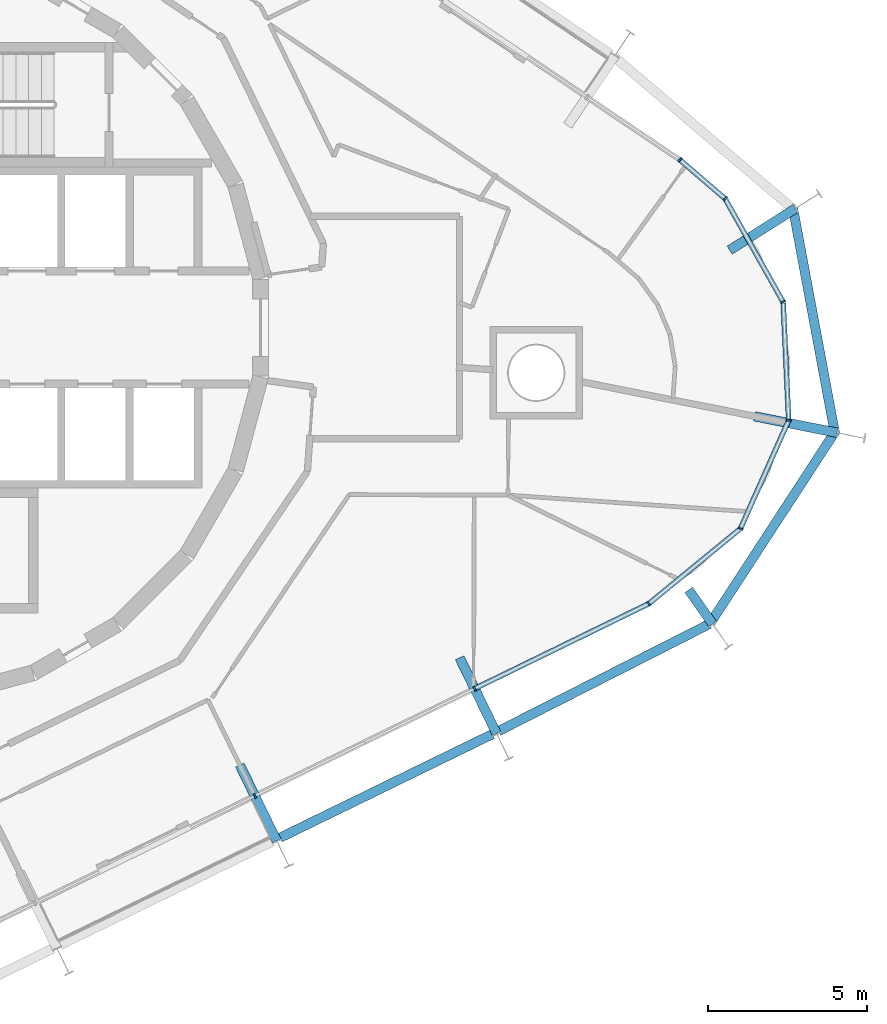
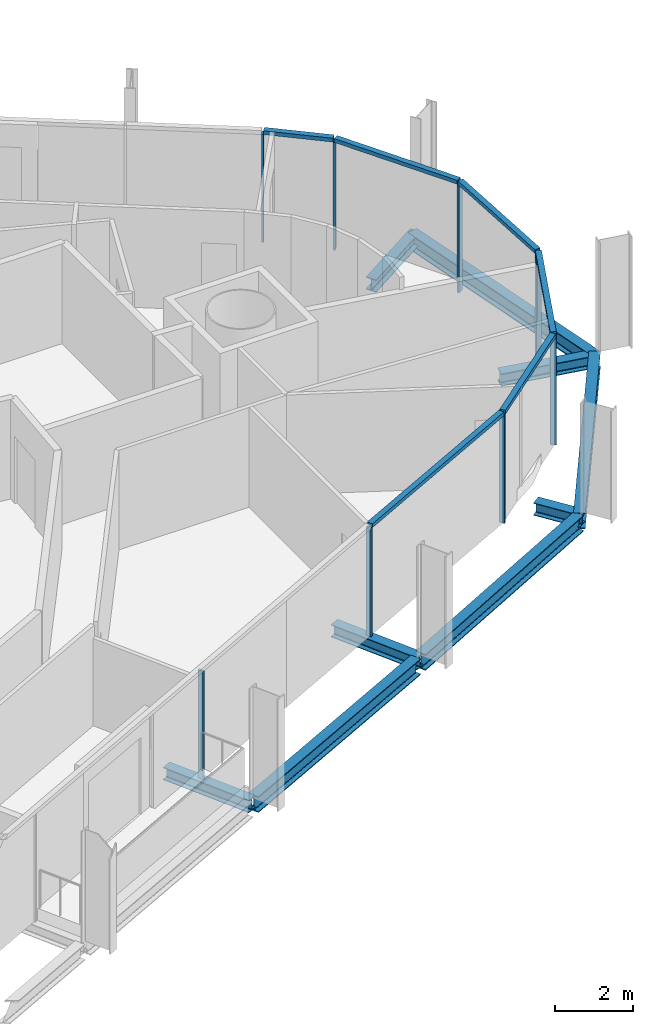
# One storey, part 5 of 17: 14 members, 9 beams, 2 elements without a shape of their own.
"""IFC4 building model written with IfcOpenShell, lengths in metres."""

from ifc_helpers import new_model, si_unit, direction, frame, origin, origin_2d, place, context, subcontext, project, spatial, rectangle, i_section, extrude, material, layer, layer_set, material_profile, profile_set, type_object, element, aggregate, save


model = new_model("IFC4")

# Units and contexts
model_context = context("Model", 3, precision=1e-05, world=origin(), true_north=direction((0.0, 1.0)))
body_context = subcontext(model_context, "Body", "Model", "MODEL_VIEW")
ifc_project = project(units=[si_unit("LENGTHUNIT", "METRE"), si_unit("AREAUNIT", "SQUARE_METRE"), si_unit("VOLUMEUNIT", "CUBIC_METRE"), si_unit("PLANEANGLEUNIT", "RADIAN"), si_unit("MASSUNIT", "GRAM", prefix="KILO")], contexts=[model_context])

# Site, building, storey
site_placement = place(None, origin())
site = spatial("IfcSite", under=ifc_project, at=site_placement, CompositionType="ELEMENT")
building_placement = place(site_placement, origin())
building = spatial("IfcBuilding", under=site, at=building_placement, Name="Spindle Arch Residences", CompositionType="ELEMENT")
storey_placement = place(building_placement, frame((0.0, 0.0, 191.89990234375)))
storey = spatial("IfcBuildingStorey", under=building, at=storey_placement, Name="L48", CompositionType="ELEMENT", Elevation=191.89990234375)

# Curtain wall, members
ifc_material_1 = material(Name="Aluminium bronze unitised frame with tinted glass", Category="aluminium")
ifc_layer_1 = layer(ifc_material_1, 0.159912109375)
ifc_layer_set_1 = layer_set([ifc_layer_1], Name="CW-D corner wall on the fillet arcs")
curtain_wall_type_1 = type_object("IfcCurtainWallType", Name="CW-D corner wall on the fillet arcs", PredefinedType="NOTDEFINED", material=ifc_layer_set_1)
curtain_wall_1_placement = place(storey_placement, origin())
curtain_wall_1 = element("IfcCurtainWall", 1, at=curtain_wall_1_placement, inside=storey, type_object=curtain_wall_type_1, Name="CW-D L48 run 1", PredefinedType="NOTDEFINED")
ifc_material_2 = material(Name="Aluminium bronze anodised mullion", Category="aluminium")
ifc_material_profile_1 = material_profile(ifc_material_2, rectangle(XDim=0.159912109375, YDim=0.06005859375, at=origin_2d()), Name="MU 60x160")
ifc_profile_set_1 = profile_set([ifc_material_profile_1], Name="Aluminium bronze anodised mullion")
member_type_1 = type_object("IfcMemberType", Name="Bronze mullion 60x160", PredefinedType="MULLION", material=ifc_profile_set_1)
member_1_placement = place(storey_placement, frame((18.377685546875, -11.353515625, -0.3798828125), z_axis=(0.0, 0.0, 1.0), x_axis=(-0.438371146789, 0.898794046299, 0.0)))
member_1 = element("IfcMember", 2, at=member_1_placement, type_object=member_type_1, Name="CW-D mullion 00", PredefinedType="MULLION", context=body_context, shape_type="SweptSolid", body=[
    extrude(rectangle(XDim=0.159912109375, YDim=0.06005859375, at=origin_2d()), origin(), (0.0, 0.0, 1.0), 3.3798828125),
])
member_2_placement = place(storey_placement, frame((23.85400390625, -8.6826171875, -0.3798828125), z_axis=(0.0, 0.0, 1.0), x_axis=(-0.633830963722, 0.773471595747, 0.0)))
member_2 = element("IfcMember", 3, at=member_2_placement, type_object=member_type_1, Name="CW-D mullion 01", PredefinedType="MULLION", context=body_context, shape_type="SweptSolid", body=[
    extrude(rectangle(XDim=0.159912109375, YDim=0.06005859375, at=origin_2d()), origin(), (0.0, 0.0, 1.0), 3.3798828125),
])
member_3_placement = place(storey_placement, frame((26.736572265625, -6.320556640625, -0.3798828125), z_axis=(0.0, 0.0, 1.0), x_axis=(-0.913545457934, 0.406736642422, 0.0)))
member_3 = element("IfcMember", 4, at=member_3_placement, type_object=member_type_1, Name="CW-D mullion 02", PredefinedType="MULLION", context=body_context, shape_type="SweptSolid", body=[
    extrude(rectangle(XDim=0.159912109375, YDim=0.06005859375, at=origin_2d()), origin(), (0.0, 0.0, 1.0), 3.3798828125),
])
member_4_placement = place(storey_placement, frame((28.252197265625, -2.916015625, -0.3798828125), z_axis=(0.0, 0.0, 1.0), x_axis=(-0.99891711126, -0.046525313877, 0.0)))
member_4 = element("IfcMember", 5, at=member_4_placement, type_object=member_type_1, Name="CW-D mullion 03", PredefinedType="MULLION", context=body_context, shape_type="SweptSolid", body=[
    extrude(rectangle(XDim=0.159912109375, YDim=0.06005859375, at=origin_2d()), origin(), (0.0, 0.0, 1.0), 3.3798828125),
])
member_5_placement = place(storey_placement, frame((28.078857421875, 0.806884765625, -0.3798828125), z_axis=(0.0, 0.0, 1.0), x_axis=(-0.871784414743, -0.489889716377, 0.0)))
member_5 = element("IfcMember", 6, at=member_5_placement, type_object=member_type_1, Name="CW-D mullion 04", PredefinedType="MULLION", context=body_context, shape_type="SweptSolid", body=[
    extrude(rectangle(XDim=0.159912109375, YDim=0.06005859375, at=origin_2d()), origin(), (0.0, 0.0, 1.0), 3.3798828125),
])
member_6_placement = place(storey_placement, frame((26.253173828125, 4.0556640625, -0.3798828125), z_axis=(0.0, 0.0, 1.0), x_axis=(-0.651657229382, -0.758513582867, 0.0)))
member_6 = element("IfcMember", 7, at=member_6_placement, type_object=member_type_1, Name="CW-D mullion 05", PredefinedType="MULLION", context=body_context, shape_type="SweptSolid", body=[
    extrude(rectangle(XDim=0.159912109375, YDim=0.06005859375, at=origin_2d()), origin(), (0.0, 0.0, 1.0), 3.3798828125),
])
member_7_placement = place(storey_placement, frame((24.830078125, 5.2783203125, -0.3798828125), z_axis=(0.0, 0.0, 1.0), x_axis=(-0.559192903471, -0.829037572555, 0.0)))
member_7 = element("IfcMember", 8, at=member_7_placement, type_object=member_type_1, Name="CW-D mullion 06", PredefinedType="MULLION", context=body_context, shape_type="SweptSolid", body=[
    extrude(rectangle(XDim=0.159912109375, YDim=0.06005859375, at=origin_2d()), origin(), (0.0, 0.0, 1.0), 3.3798828125),
])

# Curtain wall, member
ifc_material_3 = material(Name="Aluminium bronze unitised frame with tinted glass", Category="aluminium")
ifc_layer_2 = layer(ifc_material_3, 0.159912109375)
ifc_layer_set_2 = layer_set([ifc_layer_2], Name="CW-C typical residential unitised wall")
curtain_wall_type_2 = type_object("IfcCurtainWallType", Name="CW-C typical residential unitised wall", PredefinedType="NOTDEFINED", material=ifc_layer_set_2)
curtain_wall_2_placement = place(storey_placement, origin())
curtain_wall_2 = element("IfcCurtainWall", 9, at=curtain_wall_2_placement, inside=storey, type_object=curtain_wall_type_2, Name="CW-C L48 run 6", PredefinedType="NOTDEFINED")
member_8_placement = place(storey_placement, frame((11.46240234375, -14.726318359375, -0.3798828125), z_axis=(0.0, 0.0, 1.0), x_axis=(-0.438371146789, 0.898794046299, 0.0)))
member_8 = element("IfcMember", 10, at=member_8_placement, type_object=member_type_1, Name="CW-C mullion 00", PredefinedType="MULLION", context=body_context, shape_type="SweptSolid", body=[
    extrude(rectangle(XDim=0.159912109375, YDim=0.06005859375, at=origin_2d()), origin(), (0.0, 0.0, 1.0), 3.3798828125),
])
aggregate(curtain_wall_2, [member_8])

# Member
ifc_material_4 = material(Name="Aluminium bronze anodised transom", Category="aluminium")
ifc_material_profile_2 = material_profile(ifc_material_4, rectangle(XDim=0.159912109375, YDim=0.1201171875, at=origin_2d()), Name="TR 120x160")
ifc_profile_set_2 = profile_set([ifc_material_profile_2], Name="Aluminium bronze anodised transom")
member_type_2 = type_object("IfcMemberType", Name="Bronze transom 120x160", PredefinedType="USERDEFINED", material=ifc_profile_set_2)
member_9_placement = place(storey_placement, frame((18.404541015625, -11.340576171875, 3.06005859375), z_axis=(0.898786724344, 0.438386158704, 0.0), x_axis=(-0.438386158704, 0.898786724344, 0.0)))
member_9 = element("IfcMember", 11, at=member_9_placement, type_object=member_type_2, Name="CW-D transom 00", ObjectType="TRANSOM", PredefinedType="USERDEFINED", context=body_context, shape_type="SweptSolid", body=[
    extrude(rectangle(XDim=0.159912109375, YDim=0.1201171875, at=origin_2d()), origin(), (0.0, 0.0, 1.0), 6.032958984375),
])

member_10_placement = place(storey_placement, frame((23.877197265625, -8.66357421875, 3.06005859375), z_axis=(0.773494307947, 0.633803246737, 0.0), x_axis=(-0.633803246737, 0.773494307947, 0.0)))
member_10 = element("IfcMember", 12, at=member_10_placement, type_object=member_type_2, Name="CW-D transom 01", ObjectType="TRANSOM", PredefinedType="USERDEFINED", context=body_context, shape_type="SweptSolid", body=[
    extrude(rectangle(XDim=0.159912109375, YDim=0.1201171875, at=origin_2d()), origin(), (0.0, 0.0, 1.0), 3.666748046875),
])

member_11_placement = place(storey_placement, frame((26.748779296875, -6.29296875, 3.06005859375), z_axis=(0.406706770356, 0.913558757249, 0.0), x_axis=(-0.913558757249, 0.406706770356, 0.0)))
member_11 = element("IfcMember", 13, at=member_11_placement, type_object=member_type_2, Name="CW-D transom 02", ObjectType="TRANSOM", PredefinedType="USERDEFINED", context=body_context, shape_type="SweptSolid", body=[
    extrude(rectangle(XDim=0.159912109375, YDim=0.1201171875, at=origin_2d()), origin(), (0.0, 0.0, 1.0), 3.66650390625),
])

member_12_placement = place(storey_placement, frame((28.2509765625, -2.885986328125, 3.06005859375), z_axis=(-0.046540197037, 0.998916417955, 0.0), x_axis=(-0.998916417955, -0.046540197037, 0.0)))
member_12 = element("IfcMember", 14, at=member_12_placement, type_object=member_type_2, Name="CW-D transom 03", ObjectType="TRANSOM", PredefinedType="USERDEFINED", context=body_context, shape_type="SweptSolid", body=[
    extrude(rectangle(XDim=0.159912109375, YDim=0.1201171875, at=origin_2d()), origin(), (0.0, 0.0, 1.0), 3.666748046875),
])

member_13_placement = place(storey_placement, frame((28.064208984375, 0.8330078125, 3.06005859375), z_axis=(-0.489916630118, 0.871769290314, 0.0), x_axis=(-0.871769290314, -0.489916630118, 0.0)))
member_13 = element("IfcMember", 15, at=member_13_placement, type_object=member_type_2, Name="CW-D transom 04", ObjectType="TRANSOM", PredefinedType="USERDEFINED", context=body_context, shape_type="SweptSolid", body=[
    extrude(rectangle(XDim=0.159912109375, YDim=0.1201171875, at=origin_2d()), origin(), (0.0, 0.0, 1.0), 3.666748046875),
])

member_14_placement = place(storey_placement, frame((26.23046875, 4.0751953125, 3.06005859375), z_axis=(-0.758458936913, 0.651720830584, 0.0), x_axis=(-0.651720830584, -0.758458936913, 0.0)))
member_14 = element("IfcMember", 16, at=member_14_placement, type_object=member_type_2, Name="CW-D transom 05", ObjectType="TRANSOM", PredefinedType="USERDEFINED", context=body_context, shape_type="SweptSolid", body=[
    extrude(rectangle(XDim=0.159912109375, YDim=0.1201171875, at=origin_2d()), origin(), (0.0, 0.0, 1.0), 1.816162109375),
])

aggregate(curtain_wall_1, [member_1, member_9, member_2, member_10, member_3, member_11, member_4, member_12, member_5, member_13, member_6, member_14, member_7])

# Beams
ifc_material_5 = material(Name="Steel S460ML, intumescent coating R 120", Category="steel")
ifc_material_profile_3 = material_profile(ifc_material_5, i_section(OverallWidth=0.300048828125, OverallDepth=0.5, WebThickness=0.014404296875, FlangeThickness=0.028076171875, FilletRadius=0.027099609375, at=origin_2d()), Name="HEB 500")
ifc_profile_set_3 = profile_set([ifc_material_profile_3], Name="Steel S460ML, intumescent coating R 120")
beam_type_1 = type_object("IfcBeamType", Name="Exoskeleton edge beam HEB 500", PredefinedType="BEAM", material=ifc_profile_set_3)
beam_1_placement = place(storey_placement, frame((12.25, -16.04443359375, -0.6298828125), z_axis=(0.898804110297, 0.438350511935, 0.0), x_axis=(-0.438350511935, 0.898804110297, 0.0)))
element("IfcBeam", 17, at=beam_1_placement, inside=storey, type_object=beam_type_1, Name="Exoskeleton edge beam 1", PredefinedType="BEAM", context=body_context, shape_type="SweptSolid", body=[
    extrude(i_section(OverallWidth=0.300048828125, OverallDepth=0.5, WebThickness=0.014404296875, FlangeThickness=0.028076171875, FilletRadius=0.027099609375, at=origin_2d()), origin(), (0.0, 0.0, 1.0), 7.43359375),
])
beam_2_placement = place(storey_placement, frame((19.1298828125, -12.688232421875, -0.6298828125), z_axis=(0.891456240157, 0.453106799646, 0.0), x_axis=(-0.453106799646, 0.891456240157, 0.0)))
element("IfcBeam", 18, at=beam_2_placement, inside=storey, type_object=beam_type_1, Name="Exoskeleton edge beam 2", PredefinedType="BEAM", context=body_context, shape_type="SweptSolid", body=[
    extrude(i_section(OverallWidth=0.300048828125, OverallDepth=0.5, WebThickness=0.014404296875, FlangeThickness=0.028076171875, FilletRadius=0.027099609375, at=origin_2d()), origin(), (0.0, 0.0, 1.0), 7.427978515625),
])
beam_3_placement = place(storey_placement, frame((25.777099609375, -9.30908203125, -0.6298828125), z_axis=(0.546059217501, 0.837746579212, 0.0), x_axis=(-0.837746579212, 0.546059217501, 0.0)))
element("IfcBeam", 19, at=beam_3_placement, inside=storey, type_object=beam_type_1, Name="Exoskeleton edge beam 3", PredefinedType="BEAM", context=body_context, shape_type="SweptSolid", body=[
    extrude(i_section(OverallWidth=0.300048828125, OverallDepth=0.5, WebThickness=0.014404296875, FlangeThickness=0.028076171875, FilletRadius=0.027099609375, at=origin_2d()), origin(), (0.0, 0.0, 1.0), 7.249267578125),
])
beam_4_placement = place(storey_placement, frame((29.71142578125, -3.356689453125, -0.6298828125), z_axis=(-0.183047966733, 0.983103983246, 0.0), x_axis=(-0.983103983246, -0.183047966733, 0.0)))
element("IfcBeam", 20, at=beam_4_placement, inside=storey, type_object=beam_type_1, Name="Exoskeleton edge beam 4", PredefinedType="BEAM", context=body_context, shape_type="SweptSolid", body=[
    extrude(i_section(OverallWidth=0.300048828125, OverallDepth=0.5, WebThickness=0.014404296875, FlangeThickness=0.028076171875, FilletRadius=0.027099609375, at=origin_2d()), origin(), (0.0, 0.0, 1.0), 7.2490234375),
])
ifc_material_6 = material(Name="Steel S460ML, intumescent coating R 120", Category="steel")
ifc_material_profile_4 = material_profile(ifc_material_6, i_section(OverallWidth=0.300048828125, OverallDepth=0.389892578125, WebThickness=0.010986328125, FlangeThickness=0.01904296875, FilletRadius=0.027099609375, at=origin_2d()), Name="HEA 400")
ifc_profile_set_4 = profile_set([ifc_material_profile_4], Name="Steel S460ML, intumescent coating R 120")
beam_type_2 = type_object("IfcBeamType", Name="Floor outrigger HEA 400", PredefinedType="BEAM", material=ifc_profile_set_4)
beam_5_placement = place(storey_placement, frame((12.150634765625, -16.137451171875, -0.574951171875), z_axis=(-0.438347395329, 0.898805630272, 0.0), x_axis=(-0.898805630272, -0.438347395329, 0.0)))
element("IfcBeam", 21, at=beam_5_placement, inside=storey, type_object=beam_type_2, Name="Floor outrigger 1", PredefinedType="BEAM", context=body_context, shape_type="SweptSolid", body=[
    extrude(i_section(OverallWidth=0.300048828125, OverallDepth=0.389892578125, WebThickness=0.010986328125, FlangeThickness=0.01904296875, FilletRadius=0.027099609375, at=origin_2d()), origin(), (0.0, 0.0, 1.0), 2.64990234375),
])
beam_6_placement = place(storey_placement, frame((19.06591796875, -12.7646484375, -0.574951171875), z_axis=(-0.438421816972, 0.898769331032, 0.0), x_axis=(-0.898769331032, -0.438421816972, 0.0)))
element("IfcBeam", 22, at=beam_6_placement, inside=storey, type_object=beam_type_2, Name="Floor outrigger 2", PredefinedType="BEAM", context=body_context, shape_type="SweptSolid", body=[
    extrude(i_section(OverallWidth=0.300048828125, OverallDepth=0.389892578125, WebThickness=0.010986328125, FlangeThickness=0.01904296875, FilletRadius=0.027099609375, at=origin_2d()), origin(), (0.0, 0.0, 1.0), 2.650146484375),
])
beam_7_placement = place(storey_placement, frame((25.858154296875, -9.3173828125, -0.574951171875), z_axis=(-0.574827287121, 0.818274764356, 0.0), x_axis=(-0.818274764356, -0.574827287121, 0.0)))
element("IfcBeam", 23, at=beam_7_placement, inside=storey, type_object=beam_type_2, Name="Floor outrigger 3", PredefinedType="BEAM", context=body_context, shape_type="SweptSolid", body=[
    extrude(i_section(OverallWidth=0.300048828125, OverallDepth=0.389892578125, WebThickness=0.010986328125, FlangeThickness=0.01904296875, FilletRadius=0.027099609375, at=origin_2d()), origin(), (0.0, 0.0, 1.0), 1.3076171875),
])
beam_8_placement = place(storey_placement, frame((29.775634765625, -3.306884765625, -0.574951171875), z_axis=(-0.980704498332, 0.195496002392, 0.0), x_axis=(-0.195496002392, -0.980704498332, 0.0)))
element("IfcBeam", 24, at=beam_8_placement, inside=storey, type_object=beam_type_2, Name="Floor outrigger 4", PredefinedType="BEAM", context=body_context, shape_type="SweptSolid", body=[
    extrude(i_section(OverallWidth=0.300048828125, OverallDepth=0.389892578125, WebThickness=0.010986328125, FlangeThickness=0.01904296875, FilletRadius=0.027099609375, at=origin_2d()), origin(), (0.0, 0.0, 1.0), 2.64990234375),
])
beam_9_placement = place(storey_placement, frame((28.46240234375, 3.746337890625, -0.574951171875), z_axis=(-0.844575652312, -0.535436240388, 0.0), x_axis=(0.535436240388, -0.844575652312, 0.0)))
element("IfcBeam", 25, at=beam_9_placement, inside=storey, type_object=beam_type_2, Name="Floor outrigger 5", PredefinedType="BEAM", context=body_context, shape_type="SweptSolid", body=[
    extrude(i_section(OverallWidth=0.300048828125, OverallDepth=0.389892578125, WebThickness=0.010986328125, FlangeThickness=0.01904296875, FilletRadius=0.027099609375, at=origin_2d()), origin(), (0.0, 0.0, 1.0), 2.448974609375),
])

save(model, "model.ifc")
